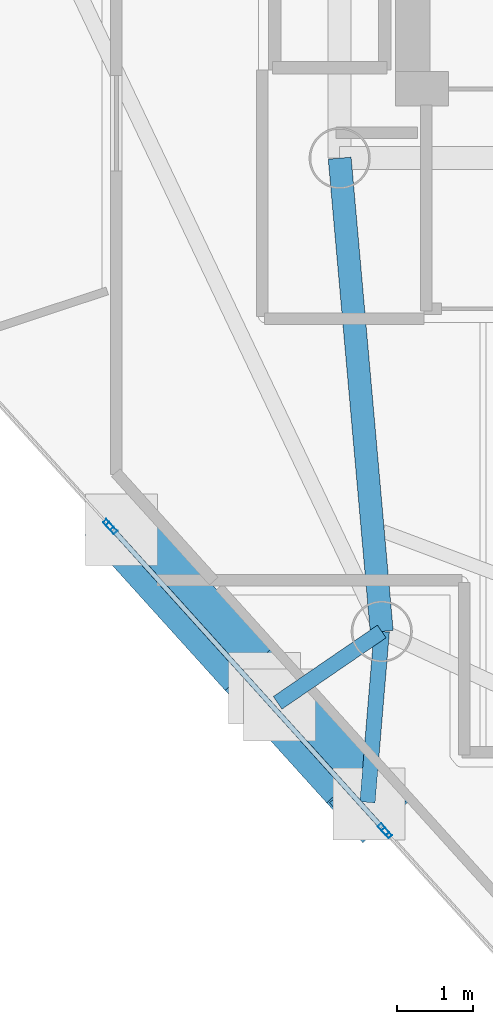
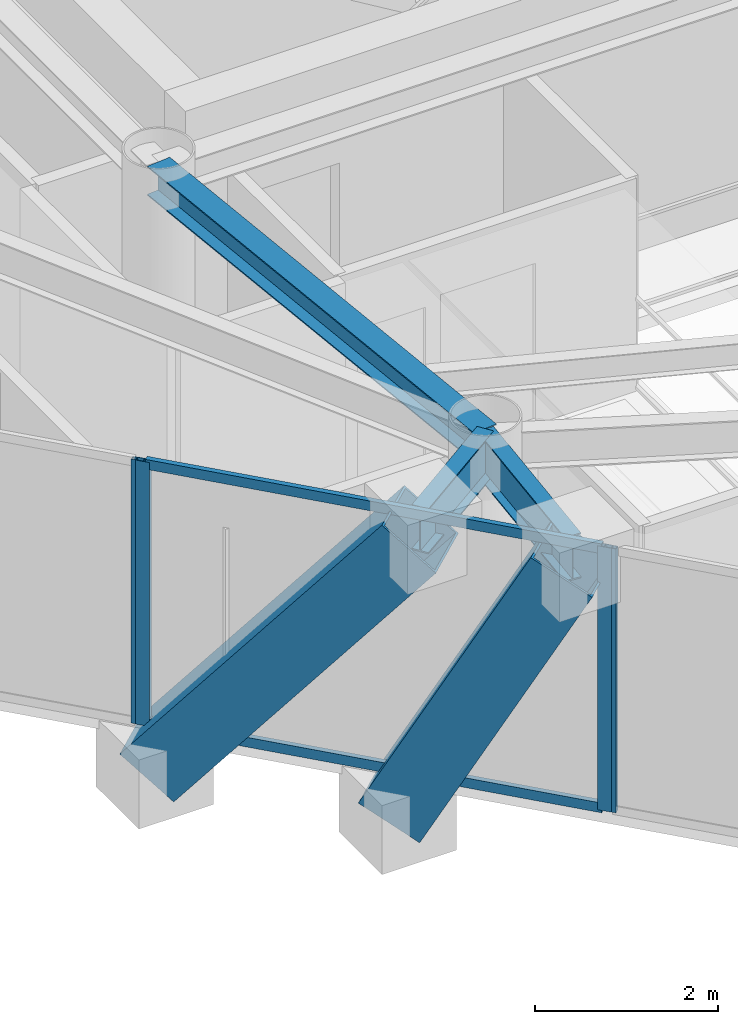
# One storey, part 2 of 19: 8 members, 3 beams, 3 elements without a shape of their own.
"""IFC4 building model written with IfcOpenShell, lengths in metres."""

from ifc_helpers import new_model, si_unit, direction, frame, origin, origin_2d, place, context, subcontext, project, spatial, hollow_rectangle, i_section, extrude, material, layer, layer_set, material_profile, profile_set, type_object, element, aggregate, save


model = new_model("IFC4")

# Units and contexts
model_context = context("Model", 3, precision=1e-05, world=origin(), true_north=direction((0.0, 1.0)))
body_context = subcontext(model_context, "Body", "Model", "MODEL_VIEW")
ifc_project = project(units=[si_unit("LENGTHUNIT", "METRE"), si_unit("AREAUNIT", "SQUARE_METRE"), si_unit("VOLUMEUNIT", "CUBIC_METRE"), si_unit("PLANEANGLEUNIT", "RADIAN"), si_unit("MASSUNIT", "GRAM", prefix="KILO")], contexts=[model_context])

# Site, building, storey
site_placement = place(None, origin())
site = spatial("IfcSite", under=ifc_project, at=site_placement, CompositionType="ELEMENT")
building_placement = place(site_placement, origin())
building = spatial("IfcBuilding", under=site, at=building_placement, Name="Qianvela Tower", CompositionType="ELEMENT")
storey_placement = place(building_placement, frame((0.0, 0.0, 329.60009765625)))
storey = spatial("IfcBuildingStorey", under=building, at=storey_placement, Name="L85", CompositionType="ELEMENT", Elevation=329.60009765625)

# Beams
ifc_material_1 = material(Name="Steel Q355B", Category="steel")
ifc_material_profile_1 = material_profile(ifc_material_1, i_section(OverallWidth=0.300048828125, OverallDepth=0.389892578125, WebThickness=0.010009765625, FlangeThickness=0.01611328125, at=origin_2d()), Name="HM390x300x10x16")
ifc_profile_set_1 = profile_set([ifc_material_profile_1], Name="Steel Q355B")
beam_type_1 = type_object("IfcBeamType", Name="BM-HM390-COLL", PredefinedType="BEAM", material=ifc_profile_set_1)
beam_1_placement = place(storey_placement, frame((28.60009765625, 23.85009765625, 3.322998046875), z_axis=(0.088501665624, -0.996076028816, 0.0), x_axis=(0.996076028816, 0.088501665624, 0.0)))
element("IfcBeam", 1, at=beam_1_placement, inside=storey, type_object=beam_type_1, Name="L85 Radial Primary Floor Girder 4", PredefinedType="BEAM", context=body_context, shape_type="SweptSolid", body=[
    extrude(i_section(OverallWidth=0.300048828125, OverallDepth=0.389892578125, WebThickness=0.010009765625, FlangeThickness=0.01611328125, at=origin_2d()), origin(), (0.0, 0.0, 1.0), 6.21240234375),
])
ifc_material_2 = material(Name="Steel Q355B", Category="steel")
ifc_material_profile_2 = material_profile(ifc_material_2, i_section(OverallWidth=0.199951171875, OverallDepth=0.60009765625, WebThickness=0.010986328125, FlangeThickness=0.01708984375, at=origin_2d()), Name="HN600x200x11x17")
ifc_profile_set_2 = profile_set([ifc_material_profile_2], Name="Steel Q355B")
beam_type_2 = type_object("IfcBeamType", Name="BM-HN600-GIRD", PredefinedType="BEAM", material=ifc_profile_set_2)
beam_2_placement = place(storey_placement, frame((29.14990234375, 17.662109375, 3.218017578125), z_axis=(-0.824878699626, -0.565309765441, 0.0), x_axis=(0.565309765441, -0.824878699626, 0.0)))
element("IfcBeam", 2, at=beam_2_placement, inside=storey, type_object=beam_type_2, Name="L85 Mega-Brace Column Tie Bracket F2-1", PredefinedType="BEAM", context=body_context, shape_type="SweptSolid", body=[
    extrude(i_section(OverallWidth=0.199951171875, OverallDepth=0.60009765625, WebThickness=0.010986328125, FlangeThickness=0.01708984375, at=origin_2d()), origin(), (0.0, 0.0, 1.0), 1.649658203125),
])
beam_3_placement = place(storey_placement, frame((29.14990234375, 17.662109375, 3.218017578125), z_axis=(-0.083225783496, -0.996530716517, 0.0), x_axis=(0.996530716517, -0.083225783496, 0.0)))
element("IfcBeam", 3, at=beam_3_placement, inside=storey, type_object=beam_type_2, Name="L85 Mega-Brace Column Tie Bracket F2-2", PredefinedType="BEAM", context=body_context, shape_type="SweptSolid", body=[
    extrude(i_section(OverallWidth=0.199951171875, OverallDepth=0.60009765625, WebThickness=0.010986328125, FlangeThickness=0.01708984375, at=origin_2d()), origin(), (0.0, 0.0, 1.0), 2.2412109375),
])

# Curtain wall, members
ifc_material_3 = material(Name="Anodised Architectural Aluminium and Insulated Spandrel Panel", Category="aluminium")
ifc_layer_1 = layer(ifc_material_3, 0.179931640625)
ifc_layer_set_1 = layer_set([ifc_layer_1], Name="Anodised Architectural Aluminium and Insulated Spandrel Panel")
curtain_wall_type_1 = type_object("IfcCurtainWallType", Name="CW-BRACEBAY", PredefinedType="USERDEFINED", material=ifc_layer_set_1)
curtain_wall_1_placement = place(storey_placement, origin())
curtain_wall_1 = element("IfcCurtainWall", 4, at=curtain_wall_1_placement, inside=storey, type_object=curtain_wall_type_1, Name="L85 CW-BRACEBAY Curtain Wall 04B", ObjectType="CURTAIN_WALL_SYSTEM", PredefinedType="USERDEFINED")
ifc_material_4 = material(Name="Anodised Architectural Aluminium 6063-T6", Category="aluminium")
ifc_material_profile_3 = material_profile(ifc_material_4, hollow_rectangle(XDim=0.06494140625, YDim=0.159912109375, WallThickness=0.0048828125, at=origin_2d()), Name="ALU-MULL-65x160")
ifc_profile_set_3 = profile_set([ifc_material_profile_3], Name="Anodised Architectural Aluminium 6063-T6")
member_type_1 = type_object("IfcMemberType", Name="CW-BRACEBAY-MULL", PredefinedType="MULLION", material=ifc_profile_set_3)
member_1_placement = place(storey_placement, frame((25.617919921875, 19.0146484375, 0.0), z_axis=(0.0, 0.0, 1.0), x_axis=(0.742204228971, 0.670173770374, 0.0)))
member_1 = element("IfcMember", 5, at=member_1_placement, type_object=member_type_1, Name="CW-9 mullion 1", PredefinedType="MULLION", context=body_context, shape_type="SweptSolid", body=[
    extrude(hollow_rectangle(XDim=0.06494140625, YDim=0.159912109375, WallThickness=0.0048828125, at=origin_2d()), origin(), (0.0, 0.0, 1.0), 3.52001953125),
])
member_2_placement = place(storey_placement, frame((29.173095703125, 15.077392578125, 0.0), z_axis=(0.0, 0.0, 1.0), x_axis=(0.742204228971, 0.670173770374, 0.0)))
member_2 = element("IfcMember", 6, at=member_2_placement, type_object=member_type_1, Name="CW-9 mullion 2", PredefinedType="MULLION", context=body_context, shape_type="SweptSolid", body=[
    extrude(hollow_rectangle(XDim=0.06494140625, YDim=0.159912109375, WallThickness=0.0048828125, at=origin_2d()), origin(), (0.0, 0.0, 1.0), 3.52001953125),
])
ifc_material_5 = material(Name="Anodised Architectural Aluminium 6063-T6", Category="aluminium")
ifc_material_profile_4 = material_profile(ifc_material_5, hollow_rectangle(XDim=0.06494140625, YDim=0.1298828125, WallThickness=0.00439453125, at=origin_2d()), Name="ALU-TRAN-65x130")
ifc_profile_set_4 = profile_set([ifc_material_profile_4], Name="Anodised Architectural Aluminium 6063-T6")
member_type_2 = type_object("IfcMemberType", Name="CW-BRACEBAY-TRAN", PredefinedType="USERDEFINED", material=ifc_profile_set_4)
member_3_placement = place(storey_placement, frame((25.6396484375, 18.990478515625, 0.032470703125), z_axis=(0.670196858208, -0.742183381145, 0.0), x_axis=(0.742183381145, 0.670196858208, 0.0)))
member_3 = element("IfcMember", 7, at=member_3_placement, type_object=member_type_2, Name="CW-9 transom 1.1", ObjectType="TRANSOM", PredefinedType="USERDEFINED", context=body_context, shape_type="SweptSolid", body=[
    extrude(hollow_rectangle(XDim=0.06494140625, YDim=0.1298828125, WallThickness=0.00439453125, at=origin_2d()), origin(), (0.0, 0.0, 1.0), 5.23974609375),
])
member_4_placement = place(storey_placement, frame((25.6396484375, 18.990478515625, 3.4873046875), z_axis=(0.670196858208, -0.742183381145, 0.0), x_axis=(0.742183381145, 0.670196858208, 0.0)))
member_4 = element("IfcMember", 8, at=member_4_placement, type_object=member_type_2, Name="CW-9 transom 1.2", ObjectType="TRANSOM", PredefinedType="USERDEFINED", context=body_context, shape_type="SweptSolid", body=[
    extrude(hollow_rectangle(XDim=0.06494140625, YDim=0.1298828125, WallThickness=0.00439453125, at=origin_2d()), origin(), (0.0, 0.0, 1.0), 5.23974609375),
])
aggregate(curtain_wall_1, [member_1, member_2, member_3, member_4])

# Curtain wall, member
ifc_material_6 = material(Name="Anodised Architectural Aluminium and Low-E Glass", Category="aluminium")
ifc_layer_2 = layer(ifc_material_6, 0.14990234375)
ifc_layer_set_2 = layer_set([ifc_layer_2], Name="Anodised Architectural Aluminium and Low-E Glass")
curtain_wall_type_2 = type_object("IfcCurtainWallType", Name="CW-COLIV-Z78", PredefinedType="USERDEFINED", material=ifc_layer_set_2)
curtain_wall_2_placement = place(storey_placement, origin())
curtain_wall_2 = element("IfcCurtainWall", 9, at=curtain_wall_2_placement, inside=storey, type_object=curtain_wall_type_2, Name="L85 CW-COLIV-Z78 Curtain Wall 04A", ObjectType="CURTAIN_WALL_SYSTEM", PredefinedType="USERDEFINED")
ifc_material_7 = material(Name="Anodised Architectural Aluminium 6063-T6", Category="aluminium")
ifc_material_profile_5 = material_profile(ifc_material_7, hollow_rectangle(XDim=0.06005859375, YDim=0.139892578125, WallThickness=0.00439453125, at=origin_2d()), Name="ALU-MULL-60x140")
ifc_profile_set_5 = profile_set([ifc_material_profile_5], Name="Anodised Architectural Aluminium 6063-T6")
member_type_3 = type_object("IfcMemberType", Name="CW-COLIV-Z78-MULL", PredefinedType="MULLION", material=ifc_profile_set_5)
member_5_placement = place(storey_placement, frame((25.575927734375, 19.06103515625, 0.0), z_axis=(0.0, 0.0, 1.0), x_axis=(0.742210798771, 0.670166494378, 0.0)))
member_5 = element("IfcMember", 10, at=member_5_placement, type_object=member_type_3, Name="CW-6 mullion 2", PredefinedType="MULLION", context=body_context, shape_type="SweptSolid", body=[
    extrude(hollow_rectangle(XDim=0.06005859375, YDim=0.139892578125, WallThickness=0.00439453125, at=origin_2d()), origin(), (0.0, 0.0, 1.0), 3.52001953125),
])
aggregate(curtain_wall_2, [member_5])

curtain_wall_3_placement = place(storey_placement, origin())
curtain_wall_3 = element("IfcCurtainWall", 11, at=curtain_wall_3_placement, inside=storey, type_object=curtain_wall_type_2, Name="L85 CW-COLIV-Z78 Curtain Wall 04C", ObjectType="CURTAIN_WALL_SYSTEM", PredefinedType="USERDEFINED")
member_6_placement = place(storey_placement, frame((29.215087890625, 15.031005859375, 0.0), z_axis=(0.0, 0.0, 1.0), x_axis=(0.742212902649, 0.670164164322, 0.0)))
member_6 = element("IfcMember", 12, at=member_6_placement, type_object=member_type_3, Name="CW-6 mullion 1", PredefinedType="MULLION", context=body_context, shape_type="SweptSolid", body=[
    extrude(hollow_rectangle(XDim=0.06005859375, YDim=0.139892578125, WallThickness=0.00439453125, at=origin_2d()), origin(), (0.0, 0.0, 1.0), 3.52001953125),
])
aggregate(curtain_wall_3, [member_6])

# Members
ifc_material_8 = material(Name="Steel Q420GJC", Category="steel")
ifc_material_profile_6 = material_profile(ifc_material_8, hollow_rectangle(XDim=0.800048828125, YDim=0.800048828125, WallThickness=0.028076171875, at=origin_2d()), Name="MBOX-800x800x28")
ifc_profile_set_6 = profile_set([ifc_material_profile_6], Name="Steel Q420GJC")
member_type_4 = type_object("IfcMemberType", Name="MBR-MBRACE-800", PredefinedType="BRACE", material=ifc_profile_set_6)
member_7_placement = place(storey_placement, frame((25.771728515625, 18.963623046875, -0.482177734375), z_axis=(0.422925609028, -0.468376164615, 0.775730428467), x_axis=(0.742200240857, 0.670178187105, 0.0)))
element("IfcMember", 13, at=member_7_placement, inside=storey, type_object=member_type_4, Name="L85 Tier 14 Exterior Mega-Brace F2A", PredefinedType="BRACE", context=body_context, shape_type="SweptSolid", body=[
    extrude(hollow_rectangle(XDim=0.800048828125, YDim=0.800048828125, WallThickness=0.028076171875, at=origin_2d()), origin(), (0.0, 0.0, 1.0), 4.77001953125),
])
member_8_placement = place(storey_placement, frame((27.635986328125, 16.899169921875, -0.482177734375), z_axis=(0.316264066664, -0.350351015913, 0.881607172036), x_axis=(0.742294434036, 0.670073856526, 0.0)))
element("IfcMember", 14, at=member_8_placement, inside=storey, type_object=member_type_4, Name="L85 Tier 14 Exterior Mega-Brace F2B", PredefinedType="BRACE", context=body_context, shape_type="SweptSolid", body=[
    extrude(hollow_rectangle(XDim=0.800048828125, YDim=0.800048828125, WallThickness=0.028076171875, at=origin_2d()), origin(), (0.0, 0.0, 1.0), 4.197021484375),
])

save(model, "model.ifc")
